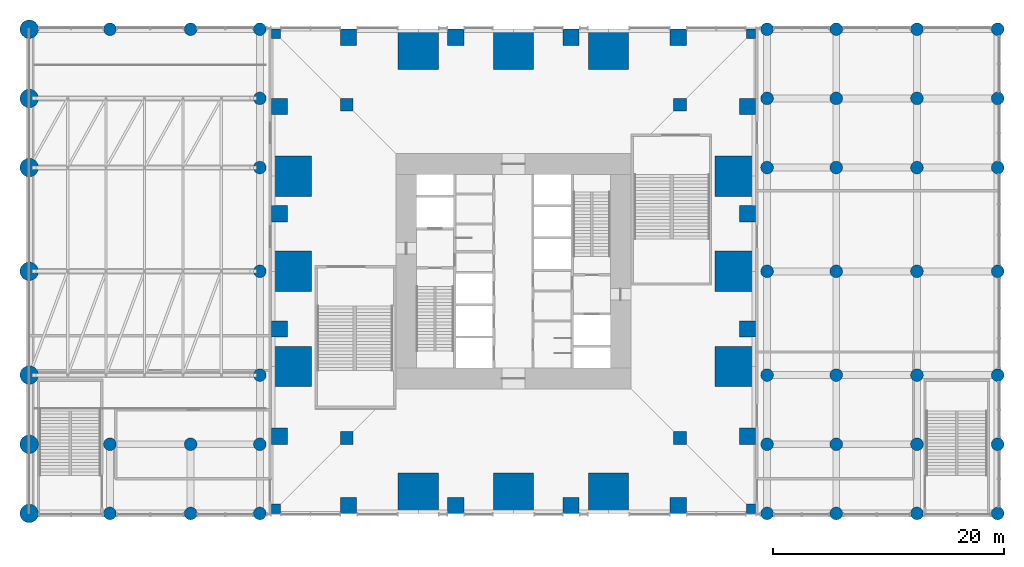
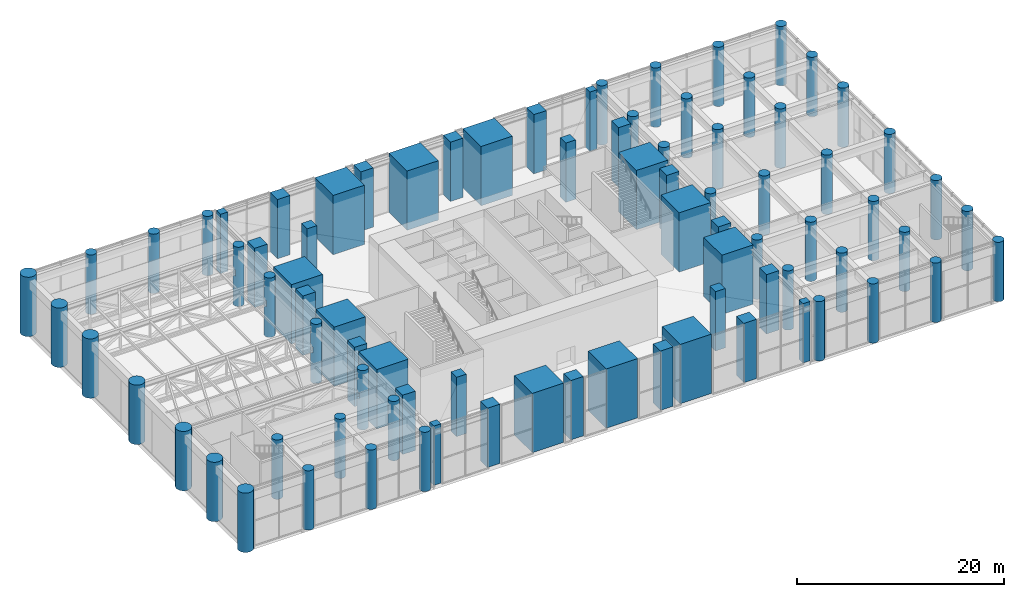
# One storey, part 1 of 30: 84 columns, 8 openings.
"""IFC4 building model written with IfcOpenShell, lengths in metres."""

from ifc_helpers import new_model, si_unit, direction, frame, origin, origin_2d, place, context, subcontext, project, spatial, rectangle, circle, extrude, material, material_profile, profile_set, type_object, element, save


model = new_model("IFC4")

# Units and contexts
model_context = context("Model", 3, precision=1e-05, world=origin(), true_north=direction((0.0, 1.0)))
body_context = subcontext(model_context, "Body", "Model", "MODEL_VIEW")
ifc_project = project(units=[si_unit("LENGTHUNIT", "METRE"), si_unit("AREAUNIT", "SQUARE_METRE"), si_unit("VOLUMEUNIT", "CUBIC_METRE"), si_unit("PLANEANGLEUNIT", "RADIAN"), si_unit("MASSUNIT", "GRAM", prefix="KILO")], contexts=[model_context])

# Site, building, storey
site_placement = place(None, origin())
site = spatial("IfcSite", under=ifc_project, at=site_placement, CompositionType="ELEMENT")
building_placement = place(site_placement, origin())
building = spatial("IfcBuilding", under=site, at=building_placement, Name="Svetlomir Tower", CompositionType="ELEMENT")
storey_placement = place(building_placement, frame((0.0, 0.0, 11.0)))
storey = spatial("IfcBuildingStorey", under=building, at=storey_placement, Name="L02", CompositionType="ELEMENT", Elevation=11.0)

# Columns
ifc_material_1 = material(Name="Concrete C60/75", Category="concrete")
ifc_material_profile_1 = material_profile(ifc_material_1, rectangle(XDim=1.10009765625, YDim=1.10009765625, at=origin_2d()), Name="RC 1100x1100")
ifc_profile_set_1 = profile_set([ifc_material_profile_1], Name="Concrete C60/75")
column_type_1 = type_object("IfcColumnType", Name="COLUMN RC 1100x1100", PredefinedType="COLUMN", material=ifc_profile_set_1)
for number, where, z_axis, x_axis, name in (
    (1, (6.550048828125, 6.550048828125, 0.0), (0.0, 0.0, 1.0), (1.0, 0.0, 0.0), "Column 6/6 L02"),
    (2, (35.449951171875, 6.550048828125, 0.0), (0.0, 0.0, 1.0), (1.0, 0.0, 0.0), "Column 36/6 L02"),
    (3, (6.550048828125, 35.449951171875, 0.0), (0.0, 0.0, 1.0), (1.0, 0.0, 0.0), "Column 6/36 L02"),
    (4, (35.449951171875, 35.449951171875, 0.0), (0.0, 0.0, 1.0), (1.0, 0.0, 0.0), "Column 36/36 L02"),
):
    element("IfcColumn", number, at=place(storey_placement, frame(where, z_axis=z_axis, x_axis=x_axis)), inside=storey, type_object=column_type_1, Name=name, PredefinedType="COLUMN", context=body_context, shape_type="SweptSolid", body=[
        extrude(rectangle(XDim=1.10009765625, YDim=1.10009765625, at=origin_2d()), origin(), (0.0, 0.0, 1.0), 7.0),
    ])
ifc_material_2 = material(Name="Concrete C60/75", Category="concrete")
ifc_material_profile_2 = material_profile(ifc_material_2, rectangle(XDim=1.39990234375, YDim=1.39990234375, at=origin_2d()), Name="RC 1400x1400")
ifc_profile_set_2 = profile_set([ifc_material_profile_2], Name="Concrete C60/75")
column_type_2 = type_object("IfcColumnType", Name="COLUMN RC 1400x1400", PredefinedType="COLUMN", material=ifc_profile_set_2)
for number, where, z_axis, x_axis, name in (
    (5, (6.699951171875, 0.699951171875, 0.0), (0.0, 0.0, 1.0), (1.0, 0.0, 0.0), "Column 6/0 L02"),
    (6, (16.0, 0.699951171875, 0.0), (0.0, 0.0, 1.0), (1.0, 0.0, 0.0), "Column 16/0 L02"),
    (7, (26.0, 0.699951171875, 0.0), (0.0, 0.0, 1.0), (1.0, 0.0, 0.0), "Column 26/0 L02"),
    (8, (35.300048828125, 0.699951171875, 0.0), (0.0, 0.0, 1.0), (1.0, 0.0, 0.0), "Column 36/0 L02"),
    (9, (0.699951171875, 6.699951171875, 0.0), (0.0, 0.0, 1.0), (1.0, 0.0, 0.0), "Column 0/6 L02"),
    (10, (41.300048828125, 6.699951171875, 0.0), (0.0, 0.0, 1.0), (1.0, 0.0, 0.0), "Column 42/6 L02"),
    (11, (0.699951171875, 16.0, 0.0), (0.0, 0.0, 1.0), (1.0, 0.0, 0.0), "Column 0/16 L02"),
    (12, (41.300048828125, 16.0, 0.0), (0.0, 0.0, 1.0), (1.0, 0.0, 0.0), "Column 42/16 L02"),
    (13, (0.699951171875, 26.0, 0.0), (0.0, 0.0, 1.0), (1.0, 0.0, 0.0), "Column 0/26 L02"),
    (14, (41.300048828125, 26.0, 0.0), (0.0, 0.0, 1.0), (1.0, 0.0, 0.0), "Column 42/26 L02"),
    (15, (0.699951171875, 35.300048828125, 0.0), (0.0, 0.0, 1.0), (1.0, 0.0, 0.0), "Column 0/36 L02"),
    (16, (41.300048828125, 35.300048828125, 0.0), (0.0, 0.0, 1.0), (1.0, 0.0, 0.0), "Column 42/36 L02"),
    (17, (6.699951171875, 41.300048828125, 0.0), (0.0, 0.0, 1.0), (1.0, 0.0, 0.0), "Column 6/42 L02"),
    (18, (16.0, 41.300048828125, 0.0), (0.0, 0.0, 1.0), (1.0, 0.0, 0.0), "Column 16/42 L02"),
    (19, (26.0, 41.300048828125, 0.0), (0.0, 0.0, 1.0), (1.0, 0.0, 0.0), "Column 26/42 L02"),
    (20, (35.300048828125, 41.300048828125, 0.0), (0.0, 0.0, 1.0), (1.0, 0.0, 0.0), "Column 36/42 L02"),
):
    element("IfcColumn", number, at=place(storey_placement, frame(where, z_axis=z_axis, x_axis=x_axis)), inside=storey, type_object=column_type_2, Name=name, PredefinedType="COLUMN", context=body_context, shape_type="SweptSolid", body=[
        extrude(rectangle(XDim=1.39990234375, YDim=1.39990234375, at=origin_2d()), origin(), (0.0, 0.0, 1.0), 7.0),
    ])
ifc_material_3 = material(Name="Concrete C60/75", Category="concrete")
ifc_material_profile_3 = material_profile(ifc_material_3, rectangle(XDim=3.5, YDim=3.5, at=origin_2d()), Name="RC 3500x3500")
ifc_profile_set_3 = profile_set([ifc_material_profile_3], Name="Concrete C60/75")
column_type_3 = type_object("IfcColumnType", Name="COLUMN RC 3500x3500", PredefinedType="COLUMN", material=ifc_profile_set_3)
for number, where, z_axis, x_axis, name in (
    (21, (12.75, 1.75, 0.0), (0.0, 0.0, 1.0), (1.0, 0.0, 0.0), "Column 11/0 L02"),
    (22, (21.0, 1.75, 0.0), (0.0, 0.0, 1.0), (1.0, 0.0, 0.0), "Column 21/0 L02"),
    (23, (29.25, 1.75, 0.0), (0.0, 0.0, 1.0), (1.0, 0.0, 0.0), "Column 31/0 L02"),
    (24, (1.75, 12.75, 0.0), (0.0, 0.0, 1.0), (1.0, 0.0, 0.0), "Column 0/11 L02"),
    (25, (40.25, 12.75, 0.0), (0.0, 0.0, 1.0), (1.0, 0.0, 0.0), "Column 42/11 L02"),
    (26, (1.75, 21.0, 0.0), (0.0, 0.0, 1.0), (1.0, 0.0, 0.0), "Column 0/21 L02"),
    (27, (40.25, 21.0, 0.0), (0.0, 0.0, 1.0), (1.0, 0.0, 0.0), "Column 42/21 L02"),
    (28, (1.75, 29.25, 0.0), (0.0, 0.0, 1.0), (1.0, 0.0, 0.0), "Column 0/31 L02"),
    (29, (40.25, 29.25, 0.0), (0.0, 0.0, 1.0), (1.0, 0.0, 0.0), "Column 42/31 L02"),
    (30, (12.75, 40.25, 0.0), (0.0, 0.0, 1.0), (1.0, 0.0, 0.0), "Column 11/42 L02"),
    (31, (21.0, 40.25, 0.0), (0.0, 0.0, 1.0), (1.0, 0.0, 0.0), "Column 21/42 L02"),
    (32, (29.25, 40.25, 0.0), (0.0, 0.0, 1.0), (1.0, 0.0, 0.0), "Column 31/42 L02"),
):
    element("IfcColumn", number, at=place(storey_placement, frame(where, z_axis=z_axis, x_axis=x_axis)), inside=storey, type_object=column_type_3, Name=name, PredefinedType="COLUMN", context=body_context, shape_type="SweptSolid", body=[
        extrude(rectangle(XDim=3.5, YDim=3.5, at=origin_2d()), origin(), (0.0, 0.0, 1.0), 7.0),
    ])
ifc_material_4 = material(Name="Concrete C60/75", Category="concrete")
ifc_material_profile_4 = material_profile(ifc_material_4, rectangle(XDim=0.800048828125, YDim=0.800048828125, at=origin_2d()), Name="RC 800x800")
ifc_profile_set_4 = profile_set([ifc_material_profile_4], Name="Concrete C60/75")
column_type_4 = type_object("IfcColumnType", Name="COLUMN RC 800x800", PredefinedType="COLUMN", material=ifc_profile_set_4)
for number, where, z_axis, x_axis, name in (
    (33, (0.39990234375, 0.39990234375, 0.0), (0.0, 0.0, 1.0), (1.0, 0.0, 0.0), "Column 0/0 L02"),
    (34, (41.60009765625, 0.39990234375, 0.0), (0.0, 0.0, 1.0), (1.0, 0.0, 0.0), "Column 42/0 L02"),
    (35, (0.39990234375, 41.60009765625, 0.0), (0.0, 0.0, 1.0), (1.0, 0.0, 0.0), "Column 0/42 L02"),
    (36, (41.60009765625, 41.60009765625, 0.0), (0.0, 0.0, 1.0), (1.0, 0.0, 0.0), "Column 42/42 L02"),
):
    element("IfcColumn", number, at=place(storey_placement, frame(where, z_axis=z_axis, x_axis=x_axis)), inside=storey, type_object=column_type_4, Name=name, PredefinedType="COLUMN", context=body_context, shape_type="SweptSolid", body=[
        extrude(rectangle(XDim=0.800048828125, YDim=0.800048828125, at=origin_2d()), origin(), (0.0, 0.0, 1.0), 7.0),
    ])
ifc_material_5 = material(Name="Concrete C60/75", Category="concrete")
ifc_material_profile_5 = material_profile(ifc_material_5, circle(Radius=0.550048828125, at=origin_2d()), Name="RC D1100")
ifc_profile_set_5 = profile_set([ifc_material_profile_5], Name="Concrete C60/75")
column_type_5 = type_object("IfcColumnType", Name="COLUMN RC D1100", PredefinedType="COLUMN", material=ifc_profile_set_5)
for number, where, z_axis, x_axis, name in (
    (37, (-14.0, 0.0, 0.0), (0.0, 0.0, 1.0), (1.0, 0.0, 0.0), "Column -14/0 L02"),
    (38, (-7.0, 0.0, 0.0), (0.0, 0.0, 1.0), (1.0, 0.0, 0.0), "Column -7/0 L02"),
    (39, (-1.0, 0.0, 0.0), (0.0, 0.0, 1.0), (1.0, 0.0, 0.0), "Column -1/0 L02"),
    (40, (43.0, 0.0, 0.0), (0.0, 0.0, 1.0), (1.0, 0.0, 0.0), "Column 43/0 L02"),
    (41, (49.0, 0.0, 0.0), (0.0, 0.0, 1.0), (1.0, 0.0, 0.0), "Column 49/0 L02"),
    (42, (56.0, 0.0, 0.0), (0.0, 0.0, 1.0), (1.0, 0.0, 0.0), "Column 56/0 L02"),
    (43, (63.0, 0.0, 0.0), (0.0, 0.0, 1.0), (1.0, 0.0, 0.0), "Column 63/0 L02"),
    (44, (-14.0, 6.0, 0.0), (0.0, 0.0, 1.0), (1.0, 0.0, 0.0), "Column -14/6 L02"),
    (45, (-7.0, 6.0, 0.0), (0.0, 0.0, 1.0), (1.0, 0.0, 0.0), "Column -7/6 L02"),
    (46, (-1.0, 6.0, 0.0), (0.0, 0.0, 1.0), (1.0, 0.0, 0.0), "Column -1/6 L02"),
    (47, (43.0, 6.0, 0.0), (0.0, 0.0, 1.0), (1.0, 0.0, 0.0), "Column 43/6 L02"),
    (48, (49.0, 6.0, 0.0), (0.0, 0.0, 1.0), (1.0, 0.0, 0.0), "Column 49/6 L02"),
    (49, (56.0, 6.0, 0.0), (0.0, 0.0, 1.0), (1.0, 0.0, 0.0), "Column 56/6 L02"),
    (50, (63.0, 6.0, 0.0), (0.0, 0.0, 1.0), (1.0, 0.0, 0.0), "Column 63/6 L02"),
):
    element("IfcColumn", number, at=place(storey_placement, frame(where, z_axis=z_axis, x_axis=x_axis)), inside=storey, type_object=column_type_5, Name=name, PredefinedType="COLUMN", context=body_context, shape_type="SweptSolid", body=[
        extrude(circle(Radius=0.550048828125, at=origin_2d()), origin(), (0.0, 0.0, 1.0), 7.0),
    ])

# Column, opening
column_1_placement = place(storey_placement, frame((-1.0, 12.0, 0.0), z_axis=(0.0, 0.0, 1.0), x_axis=(1.0, 0.0, 0.0)))
column_1 = element("IfcColumn", 51, at=column_1_placement, inside=storey, type_object=column_type_5, Name="Column -1/12 L02", PredefinedType="COLUMN", context=body_context, shape_type="SweptSolid", body=[
    extrude(circle(Radius=0.550048828125, at=origin_2d()), origin(), (0.0, 0.0, 1.0), 7.0),
])
opening_1_placement = place(storey_placement, frame((-1.409912109375, 12.0, 3.5556640625), z_axis=(0.0, 0.0, 1.0), x_axis=(1.0, 0.0, 0.0)))
element("IfcOpeningElement", 52, at=opening_1_placement, cuts=column_1, Name="Pocket AT-12-BRG-E", PredefinedType="RECESS", context=body_context, shape_type="SweptSolid", body=[
    extrude(rectangle(XDim=0.320068359375, YDim=0.47412109375, at=origin_2d()), origin(), (0.0, 0.0, 1.0), 0.718994140625),
])

# Columns
for number, where, z_axis, x_axis, name in (
    (53, (43.0, 12.0, 0.0), (0.0, 0.0, 1.0), (1.0, 0.0, 0.0), "Column 43/12 L02"),
    (54, (49.0, 12.0, 0.0), (0.0, 0.0, 1.0), (1.0, 0.0, 0.0), "Column 49/12 L02"),
    (55, (56.0, 12.0, 0.0), (0.0, 0.0, 1.0), (1.0, 0.0, 0.0), "Column 56/12 L02"),
    (56, (63.0, 12.0, 0.0), (0.0, 0.0, 1.0), (1.0, 0.0, 0.0), "Column 63/12 L02"),
):
    element("IfcColumn", number, at=place(storey_placement, frame(where, z_axis=z_axis, x_axis=x_axis)), inside=storey, type_object=column_type_5, Name=name, PredefinedType="COLUMN", context=body_context, shape_type="SweptSolid", body=[
        extrude(circle(Radius=0.550048828125, at=origin_2d()), origin(), (0.0, 0.0, 1.0), 7.0),
    ])

# Column, opening
column_2_placement = place(storey_placement, frame((-1.0, 21.0, 0.0), z_axis=(0.0, 0.0, 1.0), x_axis=(1.0, 0.0, 0.0)))
column_2 = element("IfcColumn", 57, at=column_2_placement, inside=storey, type_object=column_type_5, Name="Column -1/21 L02", PredefinedType="COLUMN", context=body_context, shape_type="SweptSolid", body=[
    extrude(circle(Radius=0.550048828125, at=origin_2d()), origin(), (0.0, 0.0, 1.0), 7.0),
])
opening_2_placement = place(storey_placement, frame((-1.409912109375, 21.0, 3.5556640625), z_axis=(0.0, 0.0, 1.0), x_axis=(1.0, 0.0, 0.0)))
element("IfcOpeningElement", 58, at=opening_2_placement, cuts=column_2, Name="Pocket AT-21-BRG-E", PredefinedType="RECESS", context=body_context, shape_type="SweptSolid", body=[
    extrude(rectangle(XDim=0.320068359375, YDim=0.47412109375, at=origin_2d()), origin(), (0.0, 0.0, 1.0), 0.718994140625),
])

# Columns
for number, where, z_axis, x_axis, name in (
    (59, (43.0, 21.0, 0.0), (0.0, 0.0, 1.0), (1.0, 0.0, 0.0), "Column 43/21 L02"),
    (60, (49.0, 21.0, 0.0), (0.0, 0.0, 1.0), (1.0, 0.0, 0.0), "Column 49/21 L02"),
    (61, (56.0, 21.0, 0.0), (0.0, 0.0, 1.0), (1.0, 0.0, 0.0), "Column 56/21 L02"),
    (62, (63.0, 21.0, 0.0), (0.0, 0.0, 1.0), (1.0, 0.0, 0.0), "Column 63/21 L02"),
):
    element("IfcColumn", number, at=place(storey_placement, frame(where, z_axis=z_axis, x_axis=x_axis)), inside=storey, type_object=column_type_5, Name=name, PredefinedType="COLUMN", context=body_context, shape_type="SweptSolid", body=[
        extrude(circle(Radius=0.550048828125, at=origin_2d()), origin(), (0.0, 0.0, 1.0), 7.0),
    ])

# Column, opening
column_3_placement = place(storey_placement, frame((-1.0, 30.0, 0.0), z_axis=(0.0, 0.0, 1.0), x_axis=(1.0, 0.0, 0.0)))
column_3 = element("IfcColumn", 63, at=column_3_placement, inside=storey, type_object=column_type_5, Name="Column -1/30 L02", PredefinedType="COLUMN", context=body_context, shape_type="SweptSolid", body=[
    extrude(circle(Radius=0.550048828125, at=origin_2d()), origin(), (0.0, 0.0, 1.0), 7.0),
])
opening_3_placement = place(storey_placement, frame((-1.409912109375, 30.0, 3.5556640625), z_axis=(0.0, 0.0, 1.0), x_axis=(1.0, 0.0, 0.0)))
element("IfcOpeningElement", 64, at=opening_3_placement, cuts=column_3, Name="Pocket AT-30-BRG-E", PredefinedType="RECESS", context=body_context, shape_type="SweptSolid", body=[
    extrude(rectangle(XDim=0.320068359375, YDim=0.47412109375, at=origin_2d()), origin(), (0.0, 0.0, 1.0), 0.718994140625),
])

# Columns
for number, where, z_axis, x_axis, name in (
    (65, (43.0, 30.0, 0.0), (0.0, 0.0, 1.0), (1.0, 0.0, 0.0), "Column 43/30 L02"),
    (66, (49.0, 30.0, 0.0), (0.0, 0.0, 1.0), (1.0, 0.0, 0.0), "Column 49/30 L02"),
    (67, (56.0, 30.0, 0.0), (0.0, 0.0, 1.0), (1.0, 0.0, 0.0), "Column 56/30 L02"),
    (68, (63.0, 30.0, 0.0), (0.0, 0.0, 1.0), (1.0, 0.0, 0.0), "Column 63/30 L02"),
):
    element("IfcColumn", number, at=place(storey_placement, frame(where, z_axis=z_axis, x_axis=x_axis)), inside=storey, type_object=column_type_5, Name=name, PredefinedType="COLUMN", context=body_context, shape_type="SweptSolid", body=[
        extrude(circle(Radius=0.550048828125, at=origin_2d()), origin(), (0.0, 0.0, 1.0), 7.0),
    ])

# Column, opening
column_4_placement = place(storey_placement, frame((-1.0, 36.0, 0.0), z_axis=(0.0, 0.0, 1.0), x_axis=(1.0, 0.0, 0.0)))
column_4 = element("IfcColumn", 69, at=column_4_placement, inside=storey, type_object=column_type_5, Name="Column -1/36 L02", PredefinedType="COLUMN", context=body_context, shape_type="SweptSolid", body=[
    extrude(circle(Radius=0.550048828125, at=origin_2d()), origin(), (0.0, 0.0, 1.0), 7.0),
])
opening_4_placement = place(storey_placement, frame((-1.409912109375, 36.0, 3.5556640625), z_axis=(0.0, 0.0, 1.0), x_axis=(1.0, 0.0, 0.0)))
element("IfcOpeningElement", 70, at=opening_4_placement, cuts=column_4, Name="Pocket AT-36-BRG-E", PredefinedType="RECESS", context=body_context, shape_type="SweptSolid", body=[
    extrude(rectangle(XDim=0.320068359375, YDim=0.47412109375, at=origin_2d()), origin(), (0.0, 0.0, 1.0), 0.718994140625),
])

# Columns
for number, where, z_axis, x_axis, name in (
    (71, (43.0, 36.0, 0.0), (0.0, 0.0, 1.0), (1.0, 0.0, 0.0), "Column 43/36 L02"),
    (72, (49.0, 36.0, 0.0), (0.0, 0.0, 1.0), (1.0, 0.0, 0.0), "Column 49/36 L02"),
    (73, (56.0, 36.0, 0.0), (0.0, 0.0, 1.0), (1.0, 0.0, 0.0), "Column 56/36 L02"),
    (74, (63.0, 36.0, 0.0), (0.0, 0.0, 1.0), (1.0, 0.0, 0.0), "Column 63/36 L02"),
    (75, (-14.0, 42.0, 0.0), (0.0, 0.0, 1.0), (1.0, 0.0, 0.0), "Column -14/42 L02"),
    (76, (-7.0, 42.0, 0.0), (0.0, 0.0, 1.0), (1.0, 0.0, 0.0), "Column -7/42 L02"),
    (77, (-1.0, 42.0, 0.0), (0.0, 0.0, 1.0), (1.0, 0.0, 0.0), "Column -1/42 L02"),
    (78, (43.0, 42.0, 0.0), (0.0, 0.0, 1.0), (1.0, 0.0, 0.0), "Column 43/42 L02"),
    (79, (49.0, 42.0, 0.0), (0.0, 0.0, 1.0), (1.0, 0.0, 0.0), "Column 49/42 L02"),
    (80, (56.0, 42.0, 0.0), (0.0, 0.0, 1.0), (1.0, 0.0, 0.0), "Column 56/42 L02"),
    (81, (63.0, 42.0, 0.0), (0.0, 0.0, 1.0), (1.0, 0.0, 0.0), "Column 63/42 L02"),
):
    element("IfcColumn", number, at=place(storey_placement, frame(where, z_axis=z_axis, x_axis=x_axis)), inside=storey, type_object=column_type_5, Name=name, PredefinedType="COLUMN", context=body_context, shape_type="SweptSolid", body=[
        extrude(circle(Radius=0.550048828125, at=origin_2d()), origin(), (0.0, 0.0, 1.0), 7.0),
    ])
ifc_material_6 = material(Name="Concrete C60/75", Category="concrete")
ifc_material_profile_6 = material_profile(ifc_material_6, circle(Radius=0.800048828125, at=origin_2d()), Name="RC D1600")
ifc_profile_set_6 = profile_set([ifc_material_profile_6], Name="Concrete C60/75")
column_type_6 = type_object("IfcColumnType", Name="COLUMN RC D1600", PredefinedType="COLUMN", material=ifc_profile_set_6)
for number, where, z_axis, x_axis, name in (
    (82, (-21.0, 0.0, 0.0), (0.0, 0.0, 1.0), (1.0, 0.0, 0.0), "Column -21/0 L02"),
    (83, (-21.0, 6.0, 0.0), (0.0, 0.0, 1.0), (1.0, 0.0, 0.0), "Column -21/6 L02"),
):
    element("IfcColumn", number, at=place(storey_placement, frame(where, z_axis=z_axis, x_axis=x_axis)), inside=storey, type_object=column_type_6, Name=name, PredefinedType="COLUMN", context=body_context, shape_type="SweptSolid", body=[
        extrude(circle(Radius=0.800048828125, at=origin_2d()), origin(), (0.0, 0.0, 1.0), 7.0),
    ])

# Column, opening
column_5_placement = place(storey_placement, frame((-21.0, 12.0, 0.0), z_axis=(0.0, 0.0, 1.0), x_axis=(1.0, 0.0, 0.0)))
column_5 = element("IfcColumn", 84, at=column_5_placement, inside=storey, type_object=column_type_6, Name="Column -21/12 L02", PredefinedType="COLUMN", context=body_context, shape_type="SweptSolid", body=[
    extrude(circle(Radius=0.800048828125, at=origin_2d()), origin(), (0.0, 0.0, 1.0), 7.0),
])
opening_5_placement = place(storey_placement, frame((-20.465087890625, 12.0, 3.5556640625), z_axis=(0.0, 0.0, 1.0), x_axis=(1.0, 0.0, 0.0)))
element("IfcOpeningElement", 85, at=opening_5_placement, cuts=column_5, Name="Pocket AT-12-BRG-W", PredefinedType="RECESS", context=body_context, shape_type="SweptSolid", body=[
    extrude(rectangle(XDim=0.570068359375, YDim=0.47412109375, at=origin_2d()), origin(), (0.0, 0.0, 1.0), 0.718994140625),
])

column_6_placement = place(storey_placement, frame((-21.0, 21.0, 0.0), z_axis=(0.0, 0.0, 1.0), x_axis=(1.0, 0.0, 0.0)))
column_6 = element("IfcColumn", 86, at=column_6_placement, inside=storey, type_object=column_type_6, Name="Column -21/21 L02", PredefinedType="COLUMN", context=body_context, shape_type="SweptSolid", body=[
    extrude(circle(Radius=0.800048828125, at=origin_2d()), origin(), (0.0, 0.0, 1.0), 7.0),
])
opening_6_placement = place(storey_placement, frame((-20.465087890625, 21.0, 3.5556640625), z_axis=(0.0, 0.0, 1.0), x_axis=(1.0, 0.0, 0.0)))
element("IfcOpeningElement", 87, at=opening_6_placement, cuts=column_6, Name="Pocket AT-21-BRG-W", PredefinedType="RECESS", context=body_context, shape_type="SweptSolid", body=[
    extrude(rectangle(XDim=0.570068359375, YDim=0.47412109375, at=origin_2d()), origin(), (0.0, 0.0, 1.0), 0.718994140625),
])

column_7_placement = place(storey_placement, frame((-21.0, 30.0, 0.0), z_axis=(0.0, 0.0, 1.0), x_axis=(1.0, 0.0, 0.0)))
column_7 = element("IfcColumn", 88, at=column_7_placement, inside=storey, type_object=column_type_6, Name="Column -21/30 L02", PredefinedType="COLUMN", context=body_context, shape_type="SweptSolid", body=[
    extrude(circle(Radius=0.800048828125, at=origin_2d()), origin(), (0.0, 0.0, 1.0), 7.0),
])
opening_7_placement = place(storey_placement, frame((-20.465087890625, 30.0, 3.5556640625), z_axis=(0.0, 0.0, 1.0), x_axis=(1.0, 0.0, 0.0)))
element("IfcOpeningElement", 89, at=opening_7_placement, cuts=column_7, Name="Pocket AT-30-BRG-W", PredefinedType="RECESS", context=body_context, shape_type="SweptSolid", body=[
    extrude(rectangle(XDim=0.570068359375, YDim=0.47412109375, at=origin_2d()), origin(), (0.0, 0.0, 1.0), 0.718994140625),
])

column_8_placement = place(storey_placement, frame((-21.0, 36.0, 0.0), z_axis=(0.0, 0.0, 1.0), x_axis=(1.0, 0.0, 0.0)))
column_8 = element("IfcColumn", 90, at=column_8_placement, inside=storey, type_object=column_type_6, Name="Column -21/36 L02", PredefinedType="COLUMN", context=body_context, shape_type="SweptSolid", body=[
    extrude(circle(Radius=0.800048828125, at=origin_2d()), origin(), (0.0, 0.0, 1.0), 7.0),
])
opening_8_placement = place(storey_placement, frame((-20.465087890625, 36.0, 3.5556640625), z_axis=(0.0, 0.0, 1.0), x_axis=(1.0, 0.0, 0.0)))
element("IfcOpeningElement", 91, at=opening_8_placement, cuts=column_8, Name="Pocket AT-36-BRG-W", PredefinedType="RECESS", context=body_context, shape_type="SweptSolid", body=[
    extrude(rectangle(XDim=0.570068359375, YDim=0.47412109375, at=origin_2d()), origin(), (0.0, 0.0, 1.0), 0.718994140625),
])

# Column
column_9_placement = place(storey_placement, frame((-21.0, 42.0, 0.0), z_axis=(0.0, 0.0, 1.0), x_axis=(1.0, 0.0, 0.0)))
element("IfcColumn", 92, at=column_9_placement, inside=storey, type_object=column_type_6, Name="Column -21/42 L02", PredefinedType="COLUMN", context=body_context, shape_type="SweptSolid", body=[
    extrude(circle(Radius=0.800048828125, at=origin_2d()), origin(), (0.0, 0.0, 1.0), 7.0),
])

save(model, "model.ifc")
